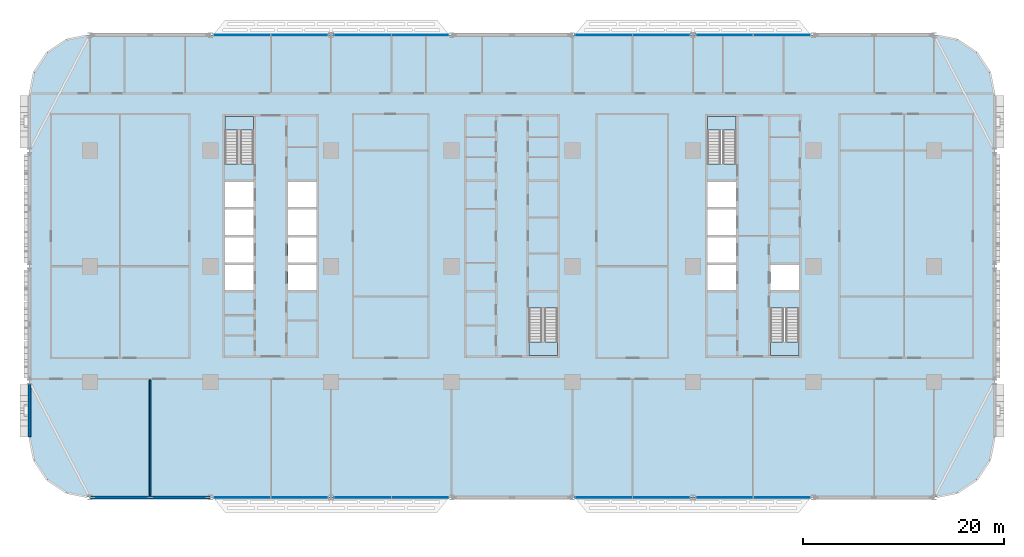
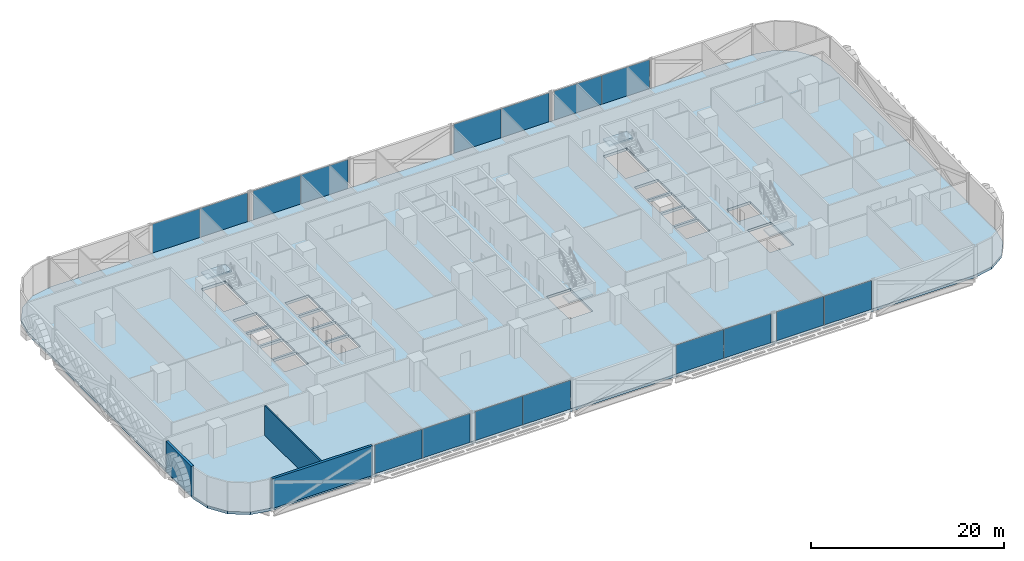
# One storey, part 9 of 29: 16 plates, 5 slabs, 3 walls, 12 elements without a shape of their own.
"""IFC4 building model written with IfcOpenShell, lengths in metres."""

from ifc_helpers import new_model, si_unit, direction, frame, frame_2d, origin, origin_2d, place, context, subcontext, project, spatial, polyline, rectangle, outline, extrude, material, layer, layer_set, type_object, element, aggregate, save


model = new_model("IFC4")

# Units and contexts
model_context = context("Model", 3, precision=1e-05, world=origin(), true_north=direction((0.0, 1.0)))
body_context = subcontext(model_context, "Body", "Model", "MODEL_VIEW")
ifc_project = project(units=[si_unit("LENGTHUNIT", "METRE"), si_unit("AREAUNIT", "SQUARE_METRE"), si_unit("VOLUMEUNIT", "CUBIC_METRE"), si_unit("PLANEANGLEUNIT", "RADIAN"), si_unit("MASSUNIT", "GRAM", prefix="KILO")], contexts=[model_context])

# Site, building, storey
site_placement = place(None, origin())
site = spatial("IfcSite", under=ifc_project, at=site_placement, CompositionType="ELEMENT")
building_placement = place(site_placement, origin())
building = spatial("IfcBuilding", under=site, at=building_placement, Name="Mahtab Terrace Research Tower", CompositionType="ELEMENT")
storey_placement = place(building_placement, frame((0.0, 0.0, 37.300048828125)))
storey = spatial("IfcBuildingStorey", under=building, at=storey_placement, Name="L08", CompositionType="ELEMENT", Elevation=37.300048828125)

# Stair, slab
ifc_material_1 = material(Name="Exit stair half-turn")
stair_type = type_object("IfcStairType", Name="Exit stair half-turn", PredefinedType="HALF_TURN_STAIR", material=ifc_material_1)
stair_1_placement = place(storey_placement, origin())
stair_1 = element("IfcStair", 1, at=stair_1_placement, inside=storey, type_object=stair_type, Name="L08 Protected exit stair ST1", PredefinedType="HALF_TURN_STAIR")
ifc_material_2 = material(Name="Concrete C40/50", Category="concrete")
ifc_layer_1 = layer(ifc_material_2, 0.199951171875)
ifc_layer_set_1 = layer_set([ifc_layer_1], Name="Exit stair landing 200")
slab_type_1 = type_object("IfcSlabType", Name="Exit stair landing 200", PredefinedType="LANDING", material=ifc_layer_set_1)
slab_1_placement = place(storey_placement, frame((0.0, 0.0, 1.949951171875)))
slab_1 = element("IfcSlab", 2, at=slab_1_placement, type_object=slab_type_1, Name="ST1 landing 1", PredefinedType="LANDING", context=body_context, shape_type="SweptSolid", body=[
    extrude(outline(polyline([(-25.699951171875, 13.534912109375), (-25.699951171875, 14.875), (-28.550048828125, 14.875), (-28.550048828125, 13.534912109375), (-25.699951171875, 13.534912109375)])), origin(), (0.0, 0.0, 1.0), 0.199951171875),
])
aggregate(stair_1, [slab_1])

stair_2_placement = place(storey_placement, origin())
stair_2 = element("IfcStair", 3, at=stair_2_placement, inside=storey, type_object=stair_type, Name="L08 Protected exit stair ST2", PredefinedType="HALF_TURN_STAIR")
slab_2_placement = place(storey_placement, frame((0.0, 0.0, 1.949951171875)))
slab_2 = element("IfcSlab", 4, at=slab_2_placement, type_object=slab_type_1, Name="ST2 landing 1", PredefinedType="LANDING", context=body_context, shape_type="SweptSolid", body=[
    extrude(outline(polyline([(1.699951171875, -7.534912109375), (1.699951171875, -8.875), (4.550048828125, -8.875), (4.550048828125, -7.534912109375), (1.699951171875, -7.534912109375)])), origin(), (0.0, 0.0, 1.0), 0.199951171875),
])
aggregate(stair_2, [slab_2])

stair_3_placement = place(storey_placement, origin())
stair_3 = element("IfcStair", 5, at=stair_3_placement, inside=storey, type_object=stair_type, Name="L08 Protected exit stair ST3", PredefinedType="HALF_TURN_STAIR")
slab_3_placement = place(storey_placement, frame((0.0, 0.0, 1.949951171875)))
slab_3 = element("IfcSlab", 6, at=slab_3_placement, type_object=slab_type_1, Name="ST3 landing 1", PredefinedType="LANDING", context=body_context, shape_type="SweptSolid", body=[
    extrude(outline(polyline([(22.300048828125, 13.534912109375), (22.300048828125, 14.875), (19.449951171875, 14.875), (19.449951171875, 13.534912109375), (22.300048828125, 13.534912109375)])), origin(), (0.0, 0.0, 1.0), 0.199951171875),
])
aggregate(stair_3, [slab_3])

stair_4_placement = place(storey_placement, origin())
stair_4 = element("IfcStair", 7, at=stair_4_placement, inside=storey, type_object=stair_type, Name="L08 Protected exit stair ST4", PredefinedType="HALF_TURN_STAIR")
slab_4_placement = place(storey_placement, frame((0.0, 0.0, 1.949951171875)))
slab_4 = element("IfcSlab", 8, at=slab_4_placement, type_object=slab_type_1, Name="ST4 landing 1", PredefinedType="LANDING", context=body_context, shape_type="SweptSolid", body=[
    extrude(outline(polyline([(25.699951171875, -7.534912109375), (25.699951171875, -8.875), (28.550048828125, -8.875), (28.550048828125, -7.534912109375), (25.699951171875, -7.534912109375)])), origin(), (0.0, 0.0, 1.0), 0.199951171875),
])
aggregate(stair_4, [slab_4])

# Curtain wall, plates
ifc_material_3 = material(Name="Laboratory ribbon curtain wall")
curtain_wall_type = type_object("IfcCurtainWallType", Name="Laboratory ribbon curtain wall", PredefinedType="NOTDEFINED", material=ifc_material_3)
curtain_wall_1_placement = place(storey_placement, origin())
curtain_wall_1 = element("IfcCurtainWall", 9, at=curtain_wall_1_placement, inside=storey, type_object=curtain_wall_type, Name="EN.L08.3.4", PredefinedType="NOTDEFINED")
ifc_material_4 = material(Name="Dark glazing", Category="glass")
ifc_layer_2 = layer(ifc_material_4, 0.031982421875)
ifc_layer_set_2 = layer_set([ifc_layer_2], Name="Laboratory ribbon curtain wall glazing panel")
plate_type = type_object("IfcPlateType", Name="Laboratory ribbon curtain wall glazing panel", PredefinedType="CURTAIN_PANEL", material=ifc_layer_set_2)
plate_1_placement = place(storey_placement, frame((26.859130859375, 23.0, 0.0), z_axis=(0.0, 0.0, 1.0), x_axis=(-1.0, 0.0, 0.0)))
plate_1 = element("IfcPlate", 10, at=plate_1_placement, type_object=plate_type, Name="CWL-1 panel 1", PredefinedType="CURTAIN_PANEL", context=body_context, shape_type="SweptSolid", body=[
    extrude(rectangle(XDim=5.653564453125, YDim=0.031982421875, at=origin_2d()), origin(), (0.0, 0.0, 1.0), 3.64990234375),
])
plate_2_placement = place(storey_placement, frame((21.140869140625, 23.0, 0.0), z_axis=(0.0, 0.0, 1.0), x_axis=(-1.0, 0.0, 0.0)))
plate_2 = element("IfcPlate", 11, at=plate_2_placement, type_object=plate_type, Name="CWL-1 panel 2", PredefinedType="CURTAIN_PANEL", context=body_context, shape_type="SweptSolid", body=[
    extrude(rectangle(XDim=5.653564453125, YDim=0.031982421875, at=origin_2d()), origin(), (0.0, 0.0, 1.0), 3.64990234375),
])
aggregate(curtain_wall_1, [plate_1, plate_2])

curtain_wall_2_placement = place(storey_placement, origin())
curtain_wall_2 = element("IfcCurtainWall", 12, at=curtain_wall_2_placement, inside=storey, type_object=curtain_wall_type, Name="EN.L08.3.5", PredefinedType="NOTDEFINED")
plate_3_placement = place(storey_placement, frame((14.859130859375, 23.0, 0.0), z_axis=(0.0, 0.0, 1.0), x_axis=(-1.0, 0.0, 0.0)))
plate_3 = element("IfcPlate", 13, at=plate_3_placement, type_object=plate_type, Name="CWL-1 panel 1", PredefinedType="CURTAIN_PANEL", context=body_context, shape_type="SweptSolid", body=[
    extrude(rectangle(XDim=5.653564453125, YDim=0.031982421875, at=origin_2d()), origin(), (0.0, 0.0, 1.0), 3.64990234375),
])
plate_4_placement = place(storey_placement, frame((9.140869140625, 23.0, 0.0), z_axis=(0.0, 0.0, 1.0), x_axis=(-1.0, 0.0, 0.0)))
plate_4 = element("IfcPlate", 14, at=plate_4_placement, type_object=plate_type, Name="CWL-1 panel 2", PredefinedType="CURTAIN_PANEL", context=body_context, shape_type="SweptSolid", body=[
    extrude(rectangle(XDim=5.653564453125, YDim=0.031982421875, at=origin_2d()), origin(), (0.0, 0.0, 1.0), 3.64990234375),
])
aggregate(curtain_wall_2, [plate_3, plate_4])

curtain_wall_3_placement = place(storey_placement, origin())
curtain_wall_3 = element("IfcCurtainWall", 15, at=curtain_wall_3_placement, inside=storey, type_object=curtain_wall_type, Name="EN.L08.3.7", PredefinedType="NOTDEFINED")
plate_5_placement = place(storey_placement, frame((-9.140869140625, 23.0, 0.0), z_axis=(0.0, 0.0, 1.0), x_axis=(-1.0, 0.0, 0.0)))
plate_5 = element("IfcPlate", 16, at=plate_5_placement, type_object=plate_type, Name="CWL-1 panel 1", PredefinedType="CURTAIN_PANEL", context=body_context, shape_type="SweptSolid", body=[
    extrude(rectangle(XDim=5.653564453125, YDim=0.031982421875, at=origin_2d()), origin(), (0.0, 0.0, 1.0), 3.64990234375),
])
plate_6_placement = place(storey_placement, frame((-14.859130859375, 23.0, 0.0), z_axis=(0.0, 0.0, 1.0), x_axis=(-1.0, 0.0, 0.0)))
plate_6 = element("IfcPlate", 17, at=plate_6_placement, type_object=plate_type, Name="CWL-1 panel 2", PredefinedType="CURTAIN_PANEL", context=body_context, shape_type="SweptSolid", body=[
    extrude(rectangle(XDim=5.653564453125, YDim=0.031982421875, at=origin_2d()), origin(), (0.0, 0.0, 1.0), 3.64990234375),
])
aggregate(curtain_wall_3, [plate_5, plate_6])

curtain_wall_4_placement = place(storey_placement, origin())
curtain_wall_4 = element("IfcCurtainWall", 18, at=curtain_wall_4_placement, inside=storey, type_object=curtain_wall_type, Name="EN.L08.3.8", PredefinedType="NOTDEFINED")
plate_7_placement = place(storey_placement, frame((-21.140869140625, 23.0, 0.0), z_axis=(0.0, 0.0, 1.0), x_axis=(-1.0, 0.0, 0.0)))
plate_7 = element("IfcPlate", 19, at=plate_7_placement, type_object=plate_type, Name="CWL-1 panel 1", PredefinedType="CURTAIN_PANEL", context=body_context, shape_type="SweptSolid", body=[
    extrude(rectangle(XDim=5.653564453125, YDim=0.031982421875, at=origin_2d()), origin(), (0.0, 0.0, 1.0), 3.64990234375),
])
plate_8_placement = place(storey_placement, frame((-26.859130859375, 23.0, 0.0), z_axis=(0.0, 0.0, 1.0), x_axis=(-1.0, 0.0, 0.0)))
plate_8 = element("IfcPlate", 20, at=plate_8_placement, type_object=plate_type, Name="CWL-1 panel 2", PredefinedType="CURTAIN_PANEL", context=body_context, shape_type="SweptSolid", body=[
    extrude(rectangle(XDim=5.653564453125, YDim=0.031982421875, at=origin_2d()), origin(), (0.0, 0.0, 1.0), 3.64990234375),
])
aggregate(curtain_wall_4, [plate_7, plate_8])

curtain_wall_5_placement = place(storey_placement, origin())
curtain_wall_5 = element("IfcCurtainWall", 21, at=curtain_wall_5_placement, inside=storey, type_object=curtain_wall_type, Name="EN.L08.13.23", PredefinedType="NOTDEFINED")
plate_9_placement = place(storey_placement, frame((-26.859130859375, -23.0, 0.0), z_axis=(0.0, 0.0, 1.0), x_axis=(1.0, 0.0, 0.0)))
plate_9 = element("IfcPlate", 22, at=plate_9_placement, type_object=plate_type, Name="CWL-1 panel 1", PredefinedType="CURTAIN_PANEL", context=body_context, shape_type="SweptSolid", body=[
    extrude(rectangle(XDim=5.653564453125, YDim=0.031982421875, at=origin_2d()), origin(), (0.0, 0.0, 1.0), 3.64990234375),
])
plate_10_placement = place(storey_placement, frame((-21.140869140625, -23.0, 0.0), z_axis=(0.0, 0.0, 1.0), x_axis=(1.0, 0.0, 0.0)))
plate_10 = element("IfcPlate", 23, at=plate_10_placement, type_object=plate_type, Name="CWL-1 panel 2", PredefinedType="CURTAIN_PANEL", context=body_context, shape_type="SweptSolid", body=[
    extrude(rectangle(XDim=5.653564453125, YDim=0.031982421875, at=origin_2d()), origin(), (0.0, 0.0, 1.0), 3.64990234375),
])
aggregate(curtain_wall_5, [plate_9, plate_10])

curtain_wall_6_placement = place(storey_placement, origin())
curtain_wall_6 = element("IfcCurtainWall", 24, at=curtain_wall_6_placement, inside=storey, type_object=curtain_wall_type, Name="EN.L08.13.24", PredefinedType="NOTDEFINED")
plate_11_placement = place(storey_placement, frame((-14.859130859375, -23.0, 0.0), z_axis=(0.0, 0.0, 1.0), x_axis=(1.0, 0.0, 0.0)))
plate_11 = element("IfcPlate", 25, at=plate_11_placement, type_object=plate_type, Name="CWL-1 panel 1", PredefinedType="CURTAIN_PANEL", context=body_context, shape_type="SweptSolid", body=[
    extrude(rectangle(XDim=5.653564453125, YDim=0.031982421875, at=origin_2d()), origin(), (0.0, 0.0, 1.0), 3.64990234375),
])
plate_12_placement = place(storey_placement, frame((-9.140869140625, -23.0, 0.0), z_axis=(0.0, 0.0, 1.0), x_axis=(1.0, 0.0, 0.0)))
plate_12 = element("IfcPlate", 26, at=plate_12_placement, type_object=plate_type, Name="CWL-1 panel 2", PredefinedType="CURTAIN_PANEL", context=body_context, shape_type="SweptSolid", body=[
    extrude(rectangle(XDim=5.653564453125, YDim=0.031982421875, at=origin_2d()), origin(), (0.0, 0.0, 1.0), 3.64990234375),
])
aggregate(curtain_wall_6, [plate_11, plate_12])

curtain_wall_7_placement = place(storey_placement, origin())
curtain_wall_7 = element("IfcCurtainWall", 27, at=curtain_wall_7_placement, inside=storey, type_object=curtain_wall_type, Name="EN.L08.13.26", PredefinedType="NOTDEFINED")
plate_13_placement = place(storey_placement, frame((9.140869140625, -23.0, 0.0), z_axis=(0.0, 0.0, 1.0), x_axis=(1.0, 0.0, 0.0)))
plate_13 = element("IfcPlate", 28, at=plate_13_placement, type_object=plate_type, Name="CWL-1 panel 1", PredefinedType="CURTAIN_PANEL", context=body_context, shape_type="SweptSolid", body=[
    extrude(rectangle(XDim=5.653564453125, YDim=0.031982421875, at=origin_2d()), origin(), (0.0, 0.0, 1.0), 3.64990234375),
])
plate_14_placement = place(storey_placement, frame((14.859130859375, -23.0, 0.0), z_axis=(0.0, 0.0, 1.0), x_axis=(1.0, 0.0, 0.0)))
plate_14 = element("IfcPlate", 29, at=plate_14_placement, type_object=plate_type, Name="CWL-1 panel 2", PredefinedType="CURTAIN_PANEL", context=body_context, shape_type="SweptSolid", body=[
    extrude(rectangle(XDim=5.653564453125, YDim=0.031982421875, at=origin_2d()), origin(), (0.0, 0.0, 1.0), 3.64990234375),
])
aggregate(curtain_wall_7, [plate_13, plate_14])

curtain_wall_8_placement = place(storey_placement, origin())
curtain_wall_8 = element("IfcCurtainWall", 30, at=curtain_wall_8_placement, inside=storey, type_object=curtain_wall_type, Name="EN.L08.13.27", PredefinedType="NOTDEFINED")
plate_15_placement = place(storey_placement, frame((21.140869140625, -23.0, 0.0), z_axis=(0.0, 0.0, 1.0), x_axis=(1.0, 0.0, 0.0)))
plate_15 = element("IfcPlate", 31, at=plate_15_placement, type_object=plate_type, Name="CWL-1 panel 1", PredefinedType="CURTAIN_PANEL", context=body_context, shape_type="SweptSolid", body=[
    extrude(rectangle(XDim=5.653564453125, YDim=0.031982421875, at=origin_2d()), origin(), (0.0, 0.0, 1.0), 3.64990234375),
])
plate_16_placement = place(storey_placement, frame((26.859130859375, -23.0, 0.0), z_axis=(0.0, 0.0, 1.0), x_axis=(1.0, 0.0, 0.0)))
plate_16 = element("IfcPlate", 32, at=plate_16_placement, type_object=plate_type, Name="CWL-1 panel 2", PredefinedType="CURTAIN_PANEL", context=body_context, shape_type="SweptSolid", body=[
    extrude(rectangle(XDim=5.653564453125, YDim=0.031982421875, at=origin_2d()), origin(), (0.0, 0.0, 1.0), 3.64990234375),
])
aggregate(curtain_wall_8, [plate_15, plate_16])

# Slab
ifc_layer_3 = layer(ifc_material_2, 0.340087890625)
ifc_layer_set_3 = layer_set([ifc_layer_3], Name="PT flat slab 340")
slab_type_2 = type_object("IfcSlabType", Name="PT flat slab 340", PredefinedType="FLOOR", material=ifc_layer_set_3)
slab_5_placement = place(storey_placement, frame((0.0, 0.0, -0.340087890625)))
element("IfcSlab", 33, at=slab_5_placement, inside=storey, type_object=slab_type_2, Name="Floor slab L08", PredefinedType="FLOOR", context=body_context, shape_type="SweptSolid", body=[
    extrude(outline(polyline([(47.54296875, 19.2958984375), (46.242919921875, 21.242919921875), (44.2958984375, 22.54296875), (42.0, 23.0), (-42.0, 23.0), (-44.2958984375, 22.54296875), (-46.242919921875, 21.242919921875), (-47.54296875, 19.2958984375), (-48.0, 17.0), (-48.0, -17.0), (-47.54296875, -19.2958984375), (-46.242919921875, -21.242919921875), (-44.2958984375, -22.54296875), (-42.0, -23.0), (42.0, -23.0), (44.2958984375, -22.54296875), (46.242919921875, -21.242919921875), (47.54296875, -19.2958984375), (48.0, -17.0), (48.0, 17.0), (47.54296875, 19.2958984375)]), holes=[polyline([(-28.550048828125, -2.375), (-28.550048828125, 0.125), (-25.699951171875, 0.125), (-25.699951171875, -2.375), (-28.550048828125, -2.375)]), polyline([(-22.300048828125, -2.375), (-22.300048828125, 0.125), (-19.449951171875, 0.125), (-19.449951171875, -2.375), (-22.300048828125, -2.375)]), polyline([(-28.550048828125, 0.375), (-28.550048828125, 2.875), (-25.699951171875, 2.875), (-25.699951171875, 0.375), (-28.550048828125, 0.375)]), polyline([(-22.300048828125, 0.375), (-22.300048828125, 2.875), (-19.449951171875, 2.875), (-19.449951171875, 0.375), (-22.300048828125, 0.375)]), polyline([(-28.550048828125, 3.125), (-28.550048828125, 5.625), (-25.699951171875, 5.625), (-25.699951171875, 3.125), (-28.550048828125, 3.125)]), polyline([(-22.300048828125, 3.125), (-22.300048828125, 5.625), (-19.449951171875, 5.625), (-19.449951171875, 3.125), (-22.300048828125, 3.125)]), polyline([(-28.550048828125, 5.875), (-28.550048828125, 8.375), (-25.699951171875, 8.375), (-25.699951171875, 5.875), (-28.550048828125, 5.875)]), polyline([(-22.300048828125, 5.875), (-22.300048828125, 8.375), (-19.449951171875, 8.375), (-19.449951171875, 5.875), (-22.300048828125, 5.875)]), polyline([(-28.550048828125, 10.177001953125), (-28.550048828125, 14.875), (-25.699951171875, 14.875), (-25.699951171875, 10.177001953125), (-28.550048828125, 10.177001953125)]), polyline([(1.699951171875, -8.875), (1.699951171875, -4.177001953125), (4.550048828125, -4.177001953125), (4.550048828125, -8.875), (1.699951171875, -8.875)]), polyline([(25.699951171875, -8.875), (25.699951171875, -4.177001953125), (28.550048828125, -4.177001953125), (28.550048828125, -8.875), (25.699951171875, -8.875)]), polyline([(19.449951171875, -2.375), (19.449951171875, 0.125), (22.300048828125, 0.125), (22.300048828125, -2.375), (19.449951171875, -2.375)]), polyline([(25.699951171875, -2.375), (25.699951171875, 0.125), (28.550048828125, 0.125), (28.550048828125, -2.375), (25.699951171875, -2.375)]), polyline([(19.449951171875, 0.375), (19.449951171875, 2.875), (22.300048828125, 2.875), (22.300048828125, 0.375), (19.449951171875, 0.375)]), polyline([(19.449951171875, 3.125), (19.449951171875, 5.625), (22.300048828125, 5.625), (22.300048828125, 3.125), (19.449951171875, 3.125)]), polyline([(19.449951171875, 8.375), (22.300048828125, 8.375), (22.300048828125, 5.875), (19.449951171875, 5.875), (19.449951171875, 8.375)]), polyline([(19.449951171875, 14.875), (22.300048828125, 14.875), (22.300048828125, 10.177001953125), (19.449951171875, 10.177001953125), (19.449951171875, 14.875)])]), origin(), (0.0, 0.0, 1.0), 0.340087890625),
])

# Walls
ifc_material_5 = material(Name="Black aluminium cladding panel", Category="aluminium")
ifc_layer_4 = layer(ifc_material_5, 0.300048828125)
ifc_layer_set_4 = layer_set([ifc_layer_4], Name="Opaque facade wall 300")
wall_type_1 = type_object("IfcWallType", Name="Opaque facade wall 300", PredefinedType="NOTDEFINED", material=ifc_layer_set_4)
wall_1_placement = place(storey_placement, frame((-48.0, -11.7490234375, 0.0), z_axis=(0.0, 0.0, 1.0), x_axis=(0.0, -1.0, 0.0)))
element("IfcWall", 34, at=wall_1_placement, inside=storey, type_object=wall_type_1, Name="Opaque facade wall L08 W17", PredefinedType="NOTDEFINED", context=body_context, shape_type="SweptSolid", body=[
    extrude(rectangle(XDim=5.2509765625, YDim=0.300048828125, at=frame_2d((2.62548828125, 0.0))), origin(), (0.0, 0.0, 1.0), 3.75),
])
wall_2_placement = place(storey_placement, frame((-41.97216796875, -23.0, 0.0), z_axis=(0.0, 0.0, 1.0), x_axis=(1.0, 0.0, 0.0)))
element("IfcWall", 35, at=wall_2_placement, inside=storey, type_object=wall_type_1, Name="Opaque facade wall L08 S22", PredefinedType="NOTDEFINED", context=body_context, shape_type="SweptSolid", body=[
    extrude(rectangle(XDim=11.9443359375, YDim=0.300048828125, at=frame_2d((5.97216796875, 0.0))), origin(), (0.0, 0.0, 1.0), 3.75),
])
ifc_material_6 = material(Name="Gypsum board partition on steel studs", Category="steel")
ifc_layer_5 = layer(ifc_material_6, 0.14990234375)
ifc_layer_set_5 = layer_set([ifc_layer_5], Name="WALL PARTITION 150")
wall_type_2 = type_object("IfcWallType", Name="WALL PARTITION 150", PredefinedType="PARTITIONING", material=ifc_layer_set_5)
wall_3_placement = place(storey_placement, frame((-36.0, -22.85009765625, 0.0), z_axis=(0.0, 0.0, 1.0), x_axis=(0.0, 1.0, 0.0)))
element("IfcWall", 36, at=wall_3_placement, inside=storey, type_object=wall_type_2, Name="L08-W031", PredefinedType="PARTITIONING", context=body_context, shape_type="SweptSolid", body=[
    extrude(rectangle(XDim=11.550048828125, YDim=0.14990234375, at=frame_2d((5.77490234375, 0.0))), origin(), (0.0, 0.0, 1.0), 3.75),
])

save(model, "model.ifc")
